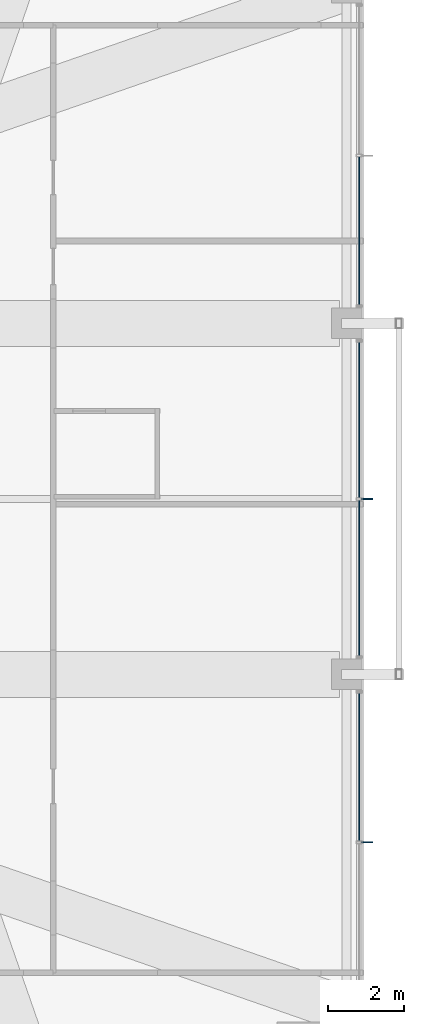
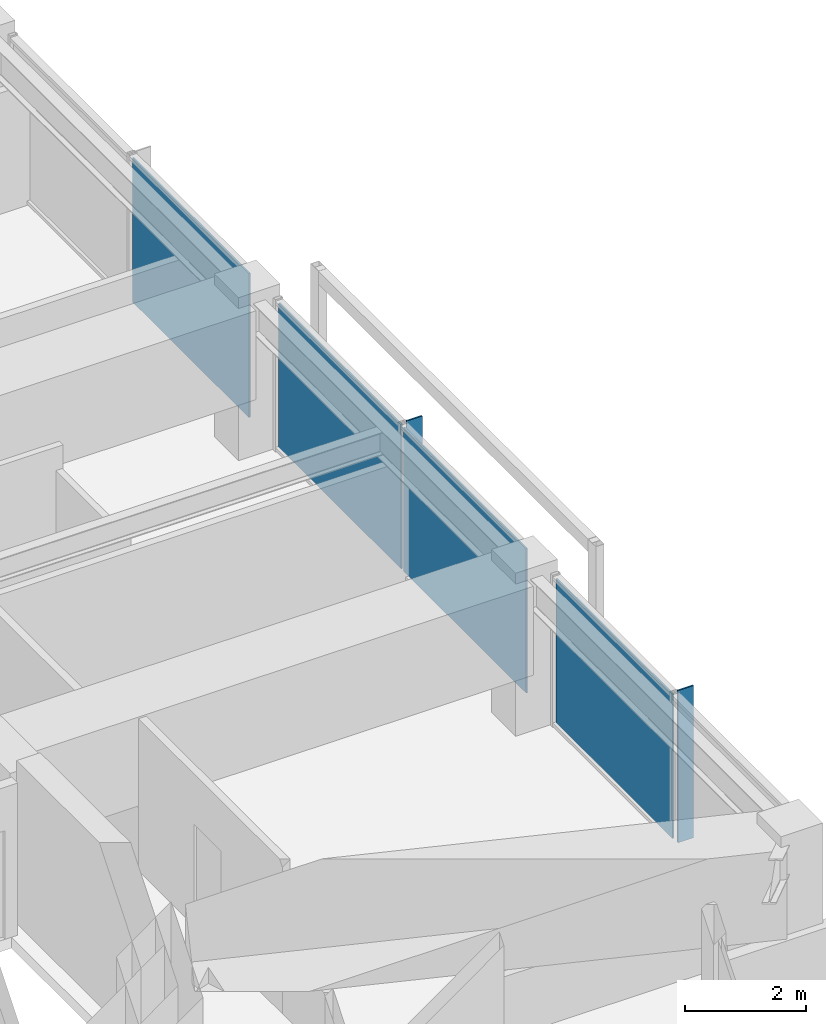
# One storey, part 28 of 37: 6 plates, 3 elements without a shape of their own.
"""IFC4 building model written with IfcOpenShell, lengths in metres."""

import ifcopenshell
import ifcopenshell.guid

model = None  # the IFC model being written
_history = None  # IfcOwnerHistory: only IFC2X3 demands one
_inside = {}  # id of a spatial element -> (the spatial element, [elements in it])
_under = {}  # id of a project, library or spatial element -> (it, [spatial elements below it])
_declared = {}  # id of a project -> (the project, [libraries it declares])
_typed = {}  # id of a type object -> (the type object, [elements of that type])
_made_of = {}  # id of a material, layer set ... -> (it, [elements and type objects made of it])


def new_model(schema):
    """Start an empty IFC model of exactly this schema.

    Asked for "IFC4X3", IfcOpenShell would pick the latest addendum, in which some entities
    have other attributes; the version numbers below select the first issue.
    IFC2X3 requires an IfcOwnerHistory on every rooted entity: one is made here for all.
    """
    global model, _history
    if schema == "IFC4X3":
        model = ifcopenshell.file(schema_version=(4, 3, 0, 0))
    else:
        model = ifcopenshell.file(schema=schema)
    _inside.clear()
    _under.clear()
    _declared.clear()
    _typed.clear()
    _made_of.clear()
    _history = None
    if model.schema == "IFC2X3":
        org = make("IfcOrganization", Name="unknown")
        user = make(
            "IfcPersonAndOrganization",
            ThePerson=make("IfcPerson", FamilyName="unknown"),
            TheOrganization=org,
        )
        app = make(
            "IfcApplication",
            ApplicationDeveloper=org,
            Version="unknown",
            ApplicationFullName="unknown",
            ApplicationIdentifier="unknown",
        )
        _history = make(
            "IfcOwnerHistory",
            OwningUser=user,
            OwningApplication=app,
            ChangeAction="ADDED",
            CreationDate=0,
        )
    return model


def make(cls, **values):
    """One entity of the class cls with the attributes given. An attribute that is None is left unset."""
    return model.create_entity(
        cls, **{name: value for name, value in values.items() if value is not None}
    )


def rooted(cls, **values):
    """An entity with a GlobalId (a new one), such as an element, a storey or a relation."""
    return make(cls, GlobalId=ifcopenshell.guid.new(), OwnerHistory=_history, **values)


def si_unit(unit_type, name, prefix=None):
    """IfcSIUnit, for example si_unit("LENGTHUNIT", "METRE", prefix="MILLI")."""
    return make("IfcSIUnit", UnitType=unit_type, Prefix=prefix, Name=name)


def assignment(units):
    """IfcUnitAssignment: the units of a project."""
    return None if units is None else make("IfcUnitAssignment", Units=units)


def point(xyz):
    """IfcCartesianPoint."""
    return None if xyz is None else make("IfcCartesianPoint", Coordinates=xyz)


def direction(xyz):
    """IfcDirection."""
    return None if xyz is None else make("IfcDirection", DirectionRatios=xyz)


def frame(location, z_axis=None, x_axis=None):
    """IfcAxis2Placement3D, a coordinate frame: its origin and axes. An axis left out is left unset."""
    return make(
        "IfcAxis2Placement3D",
        Location=point(location),
        Axis=direction(z_axis),
        RefDirection=direction(x_axis),
    )


def frame_2d(location, x_axis=None):
    """IfcAxis2Placement2D, a coordinate frame in the plane: its origin and x axis."""
    return make(
        "IfcAxis2Placement2D", Location=point(location), RefDirection=direction(x_axis)
    )


def origin():
    """The frame at (0, 0, 0) with its axes left unset."""
    return frame((0.0, 0.0, 0.0))


def origin_2d():
    """The frame at (0, 0) in the plane with its x axis left unset."""
    return frame_2d((0.0, 0.0))


def place(relative_to, where):
    """IfcLocalPlacement: puts the frame where relative to a parent placement (None: the world)."""
    return make(
        "IfcLocalPlacement", PlacementRelTo=relative_to, RelativePlacement=where
    )


def context(
    kind, dimensions, precision=None, world=None, true_north=None, identifier=None
):
    """IfcGeometricRepresentationContext, for example the 3D "Model" context."""
    return make(
        "IfcGeometricRepresentationContext",
        ContextIdentifier=identifier,
        ContextType=kind,
        CoordinateSpaceDimension=dimensions,
        Precision=precision,
        WorldCoordinateSystem=world,
        TrueNorth=true_north,
    )


def subcontext(parent, identifier, kind, view, scale=None):
    """IfcGeometricRepresentationSubContext, for example "Body" below "Model"."""
    return make(
        "IfcGeometricRepresentationSubContext",
        ContextIdentifier=identifier,
        ContextType=kind,
        ParentContext=parent,
        TargetScale=scale,
        TargetView=view,
    )


def project(units=None, contexts=None):
    """IfcProject with its units and contexts."""
    return rooted(
        "IfcProject",
        Name="project",
        RepresentationContexts=contexts,
        UnitsInContext=assignment(units),
    )


def spatial(cls, under=None, at=None, **own):
    """A site, building, storey or space (cls), placed at a placement, below another one or the project."""
    s = rooted(cls, ObjectPlacement=at, **own)
    if under is not None:
        _under.setdefault(under.id(), (under, []))[1].append(s)
    return s


def profile(cls, at=None, kind="AREA", **sizes):
    """A parametric profile (cls). Its sizes go by their IFC names, for example OverallWidth=200.0."""
    return make(cls, ProfileType=kind, Position=at, **sizes)


def rectangle(**sizes):
    """IfcRectangleProfileDef."""
    return profile("IfcRectangleProfileDef", **sizes)


def extrude(swept, where, along, depth):
    """IfcExtrudedAreaSolid: the profile swept, set in the frame where, extruded along a direction by depth."""
    return make(
        "IfcExtrudedAreaSolid",
        SweptArea=swept,
        Position=where,
        ExtrudedDirection=direction(along),
        Depth=depth,
    )


def shape(context_of_items, identifier, shape_type, items):
    """IfcShapeRepresentation: the items that make up one representation, for example the "Body"."""
    return make(
        "IfcShapeRepresentation",
        ContextOfItems=context_of_items,
        RepresentationIdentifier=identifier,
        RepresentationType=shape_type,
        Items=items,
    )


def material(Name=None, Category=None):
    """IfcMaterial."""
    return make("IfcMaterial", Name=Name, Category=Category)


def layer(
    of_material, thickness, ventilated=None, Name=None, Category=None, Priority=None
):
    """IfcMaterialLayer: one layer of a wall or slab, of a material (None: an air gap)."""
    return make(
        "IfcMaterialLayer",
        Material=of_material,
        LayerThickness=thickness,
        IsVentilated=ventilated,
        Name=Name,
        Category=Category,
        Priority=Priority,
    )


def layer_set(layers, Name=None):
    """IfcMaterialLayerSet."""
    return make("IfcMaterialLayerSet", MaterialLayers=layers, LayerSetName=Name)


def made_of(thing, what):
    """Note that an element or type object is made of a material, layer set ...; save() writes the relation."""
    if what is not None:
        _made_of.setdefault(what.id(), (what, []))[1].append(thing)
    return thing


def type_object(cls, material=None, **own):
    """A type object (cls), such as IfcWallType, which elements share."""
    return made_of(rooted(cls, **own), material)


def element(
    cls,
    number,
    at=None,
    inside=None,
    cuts=None,
    type_object=None,
    material=None,
    context=None,
    identifier="Body",
    shape_type=None,
    held_by="IfcProductDefinitionShape",
    body=None,
    shapes=None,
    **own,
):
    """One element of the class cls, such as IfcWall. Its Tag is "e" and its number.

    at: its placement. inside: the storey or other place that contains it. cuts: it is an
    opening in that element (IfcRelVoidsElement). A single representation is given by context,
    identifier, shape_type and body (its items); several are given by shapes. held_by: the class
    of the entity that holds the representations. save() writes the other relations.
    """
    e = rooted(cls, Tag="e%d" % number, ObjectPlacement=at, **own)
    if body is not None:
        shapes = [shape(context, identifier, shape_type, body)]
    if shapes is not None:
        e.Representation = make(held_by, Representations=shapes)
    if inside is not None:
        _inside.setdefault(inside.id(), (inside, []))[1].append(e)
    if cuts is not None:
        rooted(
            "IfcRelVoidsElement", RelatingBuildingElement=cuts, RelatedOpeningElement=e
        )
    if type_object is not None:
        _typed.setdefault(type_object.id(), (type_object, []))[1].append(e)
    return made_of(e, material)


def aggregate(whole, parts):
    """IfcRelAggregates: a whole, such as a stair, and the parts it consists of."""
    return rooted("IfcRelAggregates", RelatingObject=whole, RelatedObjects=parts)


def save(model, path):
    """Write the relations noted so far, then the file.

    IfcRelAggregates (storeys below a building ...), IfcRelContainedInSpatialStructure (elements
    in a storey), IfcRelDefinesByType, IfcRelAssociatesMaterial and IfcRelDeclares: one each for
    every whole, place, type object, material and project.
    """
    for whole, parts in _under.values():
        aggregate(whole, parts)
    for where, things in _inside.values():
        rooted(
            "IfcRelContainedInSpatialStructure",
            RelatedElements=things,
            RelatingStructure=where,
        )
    for kind, things in _typed.values():
        rooted("IfcRelDefinesByType", RelatedObjects=things, RelatingType=kind)
    for what, things in _made_of.values():
        rooted("IfcRelAssociatesMaterial", RelatedObjects=things, RelatingMaterial=what)
    for by, libraries in _declared.values():
        rooted("IfcRelDeclares", RelatingContext=by, RelatedDefinitions=libraries)
    model.write(path)


model = new_model("IFC4")

# Units and contexts
model_context = context("Model", 3, precision=1e-05, world=origin(), true_north=direction((0.0, 1.0)))
body_context = subcontext(model_context, "Body", "Model", "MODEL_VIEW")
ifc_project = project(units=[si_unit("LENGTHUNIT", "METRE"), si_unit("AREAUNIT", "SQUARE_METRE"), si_unit("VOLUMEUNIT", "CUBIC_METRE"), si_unit("PLANEANGLEUNIT", "RADIAN"), si_unit("MASSUNIT", "GRAM", prefix="KILO")], contexts=[model_context])

# Site, building, storey
site_placement = place(None, origin())
site = spatial("IfcSite", under=ifc_project, at=site_placement, CompositionType="ELEMENT")
building_placement = place(site_placement, origin())
building = spatial("IfcBuilding", under=site, at=building_placement, Name="Kolvaren Belvedere", CompositionType="ELEMENT")
storey_placement = place(building_placement, frame((0.0, 0.0, 219.60009765625)))
storey = spatial("IfcBuildingStorey", under=building, at=storey_placement, Name="L64", CompositionType="ELEMENT", Elevation=219.60009765625)

# Curtain wall, plate
ifc_material_1 = material(Name="Anodised pale-metal aluminium AA 6063-T6", Category="aluminium")
curtain_wall_type = type_object("IfcCurtainWallType", Name="CW-Z5-HIGH", PredefinedType="NOTDEFINED", material=ifc_material_1)
curtain_wall_1_placement = place(storey_placement, origin())
curtain_wall_1 = element("IfcCurtainWall", 1, at=curtain_wall_1_placement, inside=storey, type_object=curtain_wall_type, Name="L64 Unitised Curtain Wall FCW-L64-E-B1", PredefinedType="NOTDEFINED")
ifc_material_2 = material(Name="Low-iron triple insulated glass", Category="glass")
ifc_layer_1 = layer(ifc_material_2, 0.028076171875)
ifc_layer_set_1 = layer_set([ifc_layer_1], Name="Low-iron triple insulated glass")
plate_type_1 = type_object("IfcPlateType", Name="CW-PNL-VIS28", PredefinedType="CURTAIN_PANEL", material=ifc_layer_set_1)
plate_1_placement = place(storey_placement, frame((20.280029296875, 7.027587890625, 0.079833984375), z_axis=(0.0, 0.0, 1.0), x_axis=(0.0, -1.0, 0.0)))
plate_1 = element("IfcPlate", 2, at=plate_1_placement, type_object=plate_type_1, Name="FCW-L64-E-B1 Vision Glazing Panel 2", PredefinedType="CURTAIN_PANEL", context=body_context, shape_type="SweptSolid", body=[
    extrude(rectangle(XDim=3.864990234375, YDim=0.028076171875, at=origin_2d()), origin(), (0.0, 0.0, 1.0), 2.919921875),
])
aggregate(curtain_wall_1, [plate_1])

# Curtain wall, plates
curtain_wall_2_placement = place(storey_placement, origin())
curtain_wall_2 = element("IfcCurtainWall", 3, at=curtain_wall_2_placement, inside=storey, type_object=curtain_wall_type, Name="L64 Unitised Curtain Wall FCW-L64-E-B2", PredefinedType="NOTDEFINED")
plate_2_placement = place(storey_placement, frame((20.280029296875, 2.072509765625, 0.079833984375), z_axis=(0.0, 0.0, 1.0), x_axis=(0.0, -1.0, 0.0)))
plate_2 = element("IfcPlate", 4, at=plate_2_placement, type_object=plate_type_1, Name="FCW-L64-E-B2 Vision Glazing Panel 1", PredefinedType="CURTAIN_PANEL", context=body_context, shape_type="SweptSolid", body=[
    extrude(rectangle(XDim=4.06494140625, YDim=0.028076171875, at=origin_2d()), origin(), (0.0, 0.0, 1.0), 2.919921875),
])
plate_3_placement = place(storey_placement, frame((20.280029296875, -2.072509765625, 0.079833984375), z_axis=(0.0, 0.0, 1.0), x_axis=(0.0, -1.0, 0.0)))
plate_3 = element("IfcPlate", 5, at=plate_3_placement, type_object=plate_type_1, Name="FCW-L64-E-B2 Vision Glazing Panel 2", PredefinedType="CURTAIN_PANEL", context=body_context, shape_type="SweptSolid", body=[
    extrude(rectangle(XDim=4.06494140625, YDim=0.028076171875, at=origin_2d()), origin(), (0.0, 0.0, 1.0), 2.919921875),
])
aggregate(curtain_wall_2, [plate_2, plate_3])

# Curtain wall, plate
curtain_wall_3_placement = place(storey_placement, origin())
curtain_wall_3 = element("IfcCurtainWall", 6, at=curtain_wall_3_placement, inside=storey, type_object=curtain_wall_type, Name="L64 Unitised Curtain Wall FCW-L64-E-B3", PredefinedType="NOTDEFINED")
plate_4_placement = place(storey_placement, frame((20.280029296875, -7.027587890625, 0.079833984375), z_axis=(0.0, 0.0, 1.0), x_axis=(0.0, -1.0, 0.0)))
plate_4 = element("IfcPlate", 7, at=plate_4_placement, type_object=plate_type_1, Name="FCW-L64-E-B3 Vision Glazing Panel 1", PredefinedType="CURTAIN_PANEL", context=body_context, shape_type="SweptSolid", body=[
    extrude(rectangle(XDim=3.864990234375, YDim=0.028076171875, at=origin_2d()), origin(), (0.0, 0.0, 1.0), 2.919921875),
])
aggregate(curtain_wall_3, [plate_4])

# Plates
ifc_material_3 = material(Name="Anodised pale-metal aluminium AA 6063-T6", Category="aluminium")
ifc_layer_2 = layer(ifc_material_3, 0.030029296875)
ifc_layer_set_2 = layer_set([ifc_layer_2], Name="Anodised pale-metal aluminium AA 6063-T6")
plate_type_2 = type_object("IfcPlateType", Name="FIN-VERT-300", PredefinedType="USERDEFINED", material=ifc_layer_set_2)
for number, where, z_axis, x_axis, name in (
    (8, (20.489990234375, 0.0, -0.000244140625), (0.0, 0.0, 1.0), (1.0, 0.0, 0.0), "L64 Pale-Metal Vertical Shading Fin FCW-L64-E-B2-1"),
    (9, (20.489990234375, -9.0, -0.000244140625), (0.0, 0.0, 1.0), (1.0, 0.0, 0.0), "L64 Pale-Metal Vertical Shading Fin FCW-L64-E-B3-1"),
):
    element("IfcPlate", number, at=place(storey_placement, frame(where, z_axis=z_axis, x_axis=x_axis)), inside=storey, type_object=plate_type_2, Name=name, ObjectType="VERTICAL FIN", PredefinedType="USERDEFINED", context=body_context, shape_type="SweptSolid", body=[
        extrude(rectangle(XDim=0.300048828125, YDim=0.030029296875, at=origin_2d()), origin(), (0.0, 0.0, 1.0), 3.080078125),
    ])

save(model, "model.ifc")
